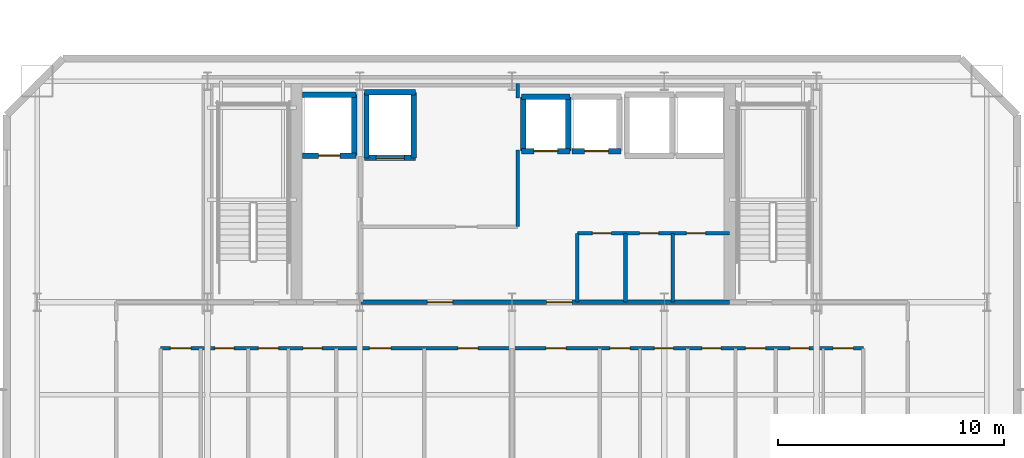
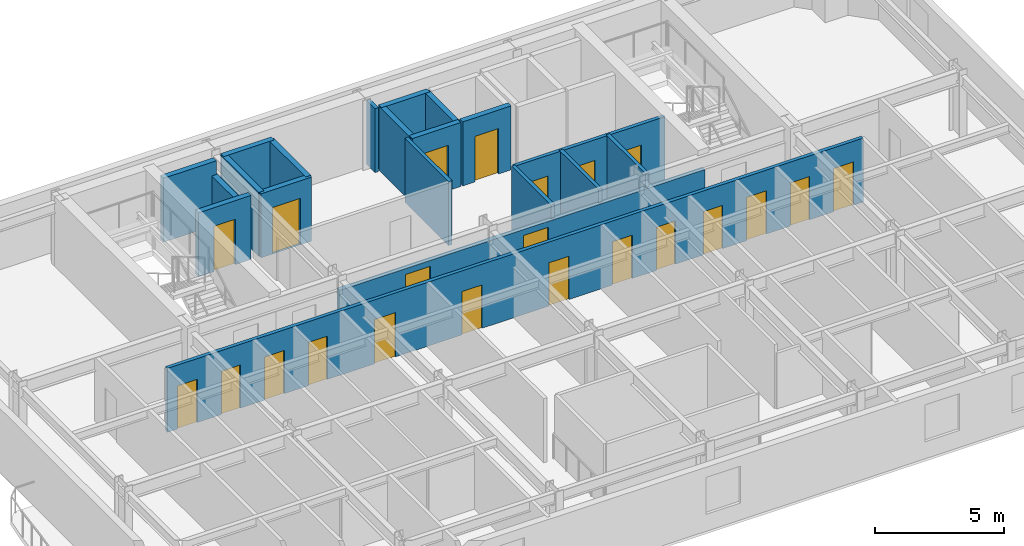
# One storey, part 6 of 14: 22 doors, 20 walls, 22 openings.
"""IFC4 building model written with IfcOpenShell, lengths in metres."""

from ifc_helpers import new_model, si_unit, direction, frame, frame_2d, origin, place, context, subcontext, project, spatial, rectangle, extrude, material, layer, layer_set, type_object, element, fill, save


model = new_model("IFC4")

# Units and contexts
model_context = context("Model", 3, precision=1e-05, world=origin(), true_north=direction((0.0, 1.0)))
body_context = subcontext(model_context, "Body", "Model", "MODEL_VIEW")
ifc_project = project(units=[si_unit("LENGTHUNIT", "METRE"), si_unit("AREAUNIT", "SQUARE_METRE"), si_unit("VOLUMEUNIT", "CUBIC_METRE"), si_unit("PLANEANGLEUNIT", "RADIAN"), si_unit("MASSUNIT", "GRAM", prefix="KILO")], contexts=[model_context])

# Site, building, storey
site_placement = place(None, origin())
site = spatial("IfcSite", under=ifc_project, at=site_placement, CompositionType="ELEMENT")
building_placement = place(site_placement, origin())
building = spatial("IfcBuilding", under=site, at=building_placement, Name="Haevon Station Towers", CompositionType="ELEMENT")
storey_placement = place(building_placement, frame((0.0, 0.0, 119.699951171875)))
storey = spatial("IfcBuildingStorey", under=building, at=storey_placement, Name="L32", CompositionType="ELEMENT", Elevation=119.699951171875)

# Wall, openings, doors
ifc_material_1 = material(Name="Gypsum board on steel stud", Category="steel")
ifc_layer_1 = layer(ifc_material_1, 0.199951171875)
ifc_layer_set_1 = layer_set([ifc_layer_1], Name="Gypsum board on steel stud")
wall_type_1 = type_object("IfcWallType", Name="WL-COR200", PredefinedType="PARTITIONING", material=ifc_layer_set_1)
wall_1_placement = place(storey_placement, frame((30.800048828125, 38.199951171875, 0.0), z_axis=(0.0, 0.0, 1.0), x_axis=(1.0, 0.0, 0.0)))
wall_1 = element("IfcWall", 1, at=wall_1_placement, inside=storey, type_object=wall_type_1, Name="WL-T1CLB-L32", PredefinedType="PARTITIONING", context=body_context, shape_type="SweptSolid", body=[
    extrude(rectangle(XDim=16.349853515625, YDim=0.199951171875, at=frame_2d((8.1748046875, 0.0))), origin(), (0.0, 0.0, 1.0), 2.380126953125),
])
opening_1_placement = place(wall_1_placement, frame((2.949951171875, 0.0, 0.0)))
opening_1 = element("IfcOpeningElement", 2, at=opening_1_placement, cuts=wall_1, Name="Opening DR-T1CLB-L32-1", PredefinedType="OPENING", context=body_context, shape_type="SweptSolid", body=[
    extrude(rectangle(XDim=1.1201171875, YDim=2.10009765625, at=frame_2d((0.56005859375, 1.050048828125))), frame((0.0, 0.10986328125, 0.0), z_axis=(0.0, -1.0, 0.0), x_axis=(1.0, 0.0, 0.0)), (0.0, 0.0, 1.0), 0.219970703125),
])
opening_2_placement = place(wall_1_placement, frame((8.22998046875, 0.0, 0.0)))
opening_2 = element("IfcOpeningElement", 3, at=opening_2_placement, cuts=wall_1, Name="Opening DR-T1CLB-L32-2", PredefinedType="OPENING", context=body_context, shape_type="SweptSolid", body=[
    extrude(rectangle(XDim=1.1201171875, YDim=2.10009765625, at=frame_2d((0.56005859375, 1.050048828125))), frame((0.0, 0.10986328125, 0.0), z_axis=(0.0, -1.0, 0.0), x_axis=(1.0, 0.0, 0.0)), (0.0, 0.0, 1.0), 0.219970703125),
])
ifc_material_2 = material(Name="Engineered oak timber", Category="wood")
door_type_1 = type_object("IfcDoorType", Name="DR-ST-1120", OperationType="NOTDEFINED", PredefinedType="DOOR", material=ifc_material_2)
door_1_placement = place(opening_1_placement, origin())
door_1 = element("IfcDoor", 4, at=door_1_placement, inside=storey, type_object=door_type_1, Name="L32 Tower 1 Core Lift Lobby Door 1", OperationType="SINGLE_SWING_RIGHT", OverallHeight=2.10009765625, OverallWidth=1.1201171875, PredefinedType="DOOR", context=body_context, shape_type="SweptSolid", body=[
    extrude(rectangle(XDim=1.1201171875, YDim=2.10009765625, at=frame_2d((0.56005859375, 1.050048828125))), frame((0.0, 0.02490234375, 0.0), z_axis=(0.0, -1.0, 0.0), x_axis=(1.0, 0.0, 0.0)), (0.0, 0.0, 1.0), 0.050048828125),
])
fill(opening_1, door_1)
door_2_placement = place(opening_2_placement, origin())
door_2 = element("IfcDoor", 5, at=door_2_placement, inside=storey, type_object=door_type_1, Name="L32 Tower 1 Core Lift Lobby Door 2", OperationType="SINGLE_SWING_LEFT", OverallHeight=2.10009765625, OverallWidth=1.1201171875, PredefinedType="DOOR", context=body_context, shape_type="SweptSolid", body=[
    extrude(rectangle(XDim=1.1201171875, YDim=2.10009765625, at=frame_2d((0.56005859375, 1.050048828125))), frame((0.0, 0.02490234375, 0.0), z_axis=(0.0, -1.0, 0.0), x_axis=(1.0, 0.0, 0.0)), (0.0, 0.0, 1.0), 0.050048828125),
])
fill(opening_2, door_2)

# Walls
ifc_layer_2 = layer(ifc_material_1, 0.159912109375)
ifc_layer_set_2 = layer_set([ifc_layer_2], Name="Gypsum board on steel stud")
wall_type_2 = type_object("IfcWallType", Name="WL-PRT160", PredefinedType="PARTITIONING", material=ifc_layer_set_2)
wall_2_placement = place(storey_placement, frame((37.75, 41.550048828125, 0.0), z_axis=(0.0, 0.0, 1.0), x_axis=(0.0, 1.0, 0.0)))
element("IfcWall", 6, at=wall_2_placement, inside=storey, type_object=wall_type_2, Name="WL-T1CW-L32-02", PredefinedType="PARTITIONING", context=body_context, shape_type="SweptSolid", body=[
    extrude(rectangle(XDim=3.39990234375, YDim=0.159912109375, at=frame_2d((1.699951171875, 0.0))), origin(), (0.0, 0.0, 1.0), 3.030029296875),
])
wall_3_placement = place(storey_placement, frame((37.75, 47.25, 0.0), z_axis=(0.0, 0.0, 1.0), x_axis=(0.0, 1.0, 0.0)))
element("IfcWall", 7, at=wall_3_placement, inside=storey, type_object=wall_type_2, Name="WL-T1CW-L32-03", PredefinedType="PARTITIONING", context=body_context, shape_type="SweptSolid", body=[
    extrude(rectangle(XDim=0.64990234375, YDim=0.159912109375, at=frame_2d((0.324951171875, 0.0))), origin(), (0.0, 0.0, 1.0), 3.030029296875),
])
for number, where, z_axis, x_axis, name in (
    (8, (40.39990234375, 38.199951171875, 0.0), (0.0, 0.0, 1.0), (0.0, 1.0, 0.0), "WL-T1CW-L32-04"),
    (9, (42.530029296875, 38.199951171875, 0.0), (0.0, 0.0, 1.0), (0.0, 1.0, 0.0), "WL-T1CW-L32-05"),
    (10, (44.6298828125, 38.199951171875, 0.0), (0.0, 0.0, 1.0), (0.0, 1.0, 0.0), "WL-T1CW-L32-06"),
):
    element("IfcWall", number, at=place(storey_placement, frame(where, z_axis=z_axis, x_axis=x_axis)), inside=storey, type_object=wall_type_2, Name=name, PredefinedType="PARTITIONING", context=body_context, shape_type="SweptSolid", body=[
        extrude(rectangle(XDim=3.050048828125, YDim=0.159912109375, at=frame_2d((1.52490234375, 0.0))), origin(), (0.0, 0.0, 1.0), 3.030029296875),
    ])

# Wall, openings, doors
wall_4_placement = place(storey_placement, frame((40.39990234375, 41.25, 0.0), z_axis=(0.0, 0.0, 1.0), x_axis=(1.0, 0.0, 0.0)))
wall_4 = element("IfcWall", 11, at=wall_4_placement, inside=storey, type_object=wall_type_2, Name="WL-T1CW-L32-07", PredefinedType="PARTITIONING", context=body_context, shape_type="SweptSolid", body=[
    extrude(rectangle(XDim=6.75, YDim=0.159912109375, at=frame_2d((3.375, 0.0))), origin(), (0.0, 0.0, 1.0), 3.030029296875),
])
opening_3_placement = place(wall_4_placement, frame((0.659912109375, 0.0, 0.0)))
opening_3 = element("IfcOpeningElement", 12, at=opening_3_placement, cuts=wall_4, Name="Opening DR-WL-T1CW-L32-07-1", PredefinedType="OPENING", context=body_context, shape_type="SweptSolid", body=[
    extrude(rectangle(XDim=0.85009765625, YDim=2.050048828125, at=frame_2d((0.425048828125, 1.02490234375))), frame((0.0, 0.08984375, 0.0), z_axis=(0.0, -1.0, 0.0), x_axis=(1.0, 0.0, 0.0)), (0.0, 0.0, 1.0), 0.179931640625),
])
opening_4_placement = place(wall_4_placement, frame((2.7548828125, 0.0, 0.0)))
opening_4 = element("IfcOpeningElement", 13, at=opening_4_placement, cuts=wall_4, Name="Opening DR-WL-T1CW-L32-07-2", PredefinedType="OPENING", context=body_context, shape_type="SweptSolid", body=[
    extrude(rectangle(XDim=0.85009765625, YDim=2.050048828125, at=frame_2d((0.425048828125, 1.02490234375))), frame((0.0, 0.08984375, 0.0), z_axis=(0.0, -1.0, 0.0), x_axis=(1.0, 0.0, 0.0)), (0.0, 0.0, 1.0), 0.179931640625),
])
opening_5_placement = place(wall_4_placement, frame((4.830078125, 0.0, 0.0)))
opening_5 = element("IfcOpeningElement", 14, at=opening_5_placement, cuts=wall_4, Name="Opening DR-WL-T1CW-L32-07-3", PredefinedType="OPENING", context=body_context, shape_type="SweptSolid", body=[
    extrude(rectangle(XDim=0.85009765625, YDim=2.050048828125, at=frame_2d((0.425048828125, 1.02490234375))), frame((0.0, 0.08984375, 0.0), z_axis=(0.0, -1.0, 0.0), x_axis=(1.0, 0.0, 0.0)), (0.0, 0.0, 1.0), 0.179931640625),
])
door_type_2 = type_object("IfcDoorType", Name="DR-FD30-850", OperationType="NOTDEFINED", PredefinedType="DOOR", material=ifc_material_2)
door_3_placement = place(opening_3_placement, origin())
door_3 = element("IfcDoor", 15, at=door_3_placement, inside=storey, type_object=door_type_2, Name="L32 Tower 1 Core Room Door 7-1", OperationType="SINGLE_SWING_LEFT", OverallHeight=2.050048828125, OverallWidth=0.85009765625, PredefinedType="DOOR", context=body_context, shape_type="SweptSolid", body=[
    extrude(rectangle(XDim=0.85009765625, YDim=2.050048828125, at=frame_2d((0.425048828125, 1.02490234375))), frame((0.0, 0.02490234375, 0.0), z_axis=(0.0, -1.0, 0.0), x_axis=(1.0, 0.0, 0.0)), (0.0, 0.0, 1.0), 0.050048828125),
])
fill(opening_3, door_3)
door_4_placement = place(opening_4_placement, origin())
door_4 = element("IfcDoor", 16, at=door_4_placement, inside=storey, type_object=door_type_2, Name="L32 Tower 1 Core Room Door 7-2", OperationType="SINGLE_SWING_RIGHT", OverallHeight=2.050048828125, OverallWidth=0.85009765625, PredefinedType="DOOR", context=body_context, shape_type="SweptSolid", body=[
    extrude(rectangle(XDim=0.85009765625, YDim=2.050048828125, at=frame_2d((0.425048828125, 1.02490234375))), frame((0.0, 0.02490234375, 0.0), z_axis=(0.0, -1.0, 0.0), x_axis=(1.0, 0.0, 0.0)), (0.0, 0.0, 1.0), 0.050048828125),
])
fill(opening_4, door_4)
door_5_placement = place(opening_5_placement, origin())
door_5 = element("IfcDoor", 17, at=door_5_placement, inside=storey, type_object=door_type_2, Name="L32 Tower 1 Core Room Door 7-3", OperationType="SINGLE_SWING_LEFT", OverallHeight=2.050048828125, OverallWidth=0.85009765625, PredefinedType="DOOR", context=body_context, shape_type="SweptSolid", body=[
    extrude(rectangle(XDim=0.85009765625, YDim=2.050048828125, at=frame_2d((0.425048828125, 1.02490234375))), frame((0.0, 0.02490234375, 0.0), z_axis=(0.0, -1.0, 0.0), x_axis=(1.0, 0.0, 0.0)), (0.0, 0.0, 1.0), 0.050048828125),
])
fill(opening_5, door_5)

wall_5_placement = place(storey_placement, frame((21.919921875, 36.14990234375, 0.0), z_axis=(0.0, 0.0, 1.0), x_axis=(1.0, 0.0, 0.0)))
wall_5 = element("IfcWall", 18, at=wall_5_placement, inside=storey, type_object=wall_type_2, Name="WL-T1PT-L32-30", PredefinedType="PARTITIONING", context=body_context, shape_type="SweptSolid", body=[
    extrude(rectangle(XDim=31.16015625, YDim=0.159912109375, at=frame_2d((15.580078125, 0.0))), origin(), (0.0, 0.0, 1.0), 3.030029296875),
])
opening_6_placement = place(wall_5_placement, frame((2.412109375, 0.0, 0.0)))
opening_6 = element("IfcOpeningElement", 19, at=opening_6_placement, cuts=wall_5, Name="Opening DR-WL-T1PT-L32-30-01", PredefinedType="OPENING", context=body_context, shape_type="SweptSolid", body=[
    extrude(rectangle(XDim=0.85009765625, YDim=2.050048828125, at=frame_2d((0.425048828125, 1.02490234375))), frame((0.0, 0.08984375, 0.0), z_axis=(0.0, -1.0, 0.0), x_axis=(1.0, 0.0, 0.0)), (0.0, 0.0, 1.0), 0.179931640625),
])
opening_7_placement = place(wall_5_placement, frame((0.43994140625, 0.0, 0.0)))
opening_7 = element("IfcOpeningElement", 20, at=opening_7_placement, cuts=wall_5, Name="Opening DR-WL-T1PT-L32-30-02", PredefinedType="OPENING", context=body_context, shape_type="SweptSolid", body=[
    extrude(rectangle(XDim=0.89990234375, YDim=2.050048828125, at=frame_2d((0.449951171875, 1.02490234375))), frame((0.0, 0.08984375, 0.0), z_axis=(0.0, -1.0, 0.0), x_axis=(1.0, 0.0, 0.0)), (0.0, 0.0, 1.0), 0.179931640625),
])
opening_8_placement = place(wall_5_placement, frame((6.306884765625, 0.0, 0.0)))
opening_8 = element("IfcOpeningElement", 21, at=opening_8_placement, cuts=wall_5, Name="Opening DR-WL-T1PT-L32-30-03", PredefinedType="OPENING", context=body_context, shape_type="SweptSolid", body=[
    extrude(rectangle(XDim=0.85009765625, YDim=2.050048828125, at=frame_2d((0.425048828125, 1.02490234375))), frame((0.0, 0.08984375, 0.0), z_axis=(0.0, -1.0, 0.0), x_axis=(1.0, 0.0, 0.0)), (0.0, 0.0, 1.0), 0.179931640625),
])
opening_9_placement = place(wall_5_placement, frame((4.3349609375, 0.0, 0.0)))
opening_9 = element("IfcOpeningElement", 22, at=opening_9_placement, cuts=wall_5, Name="Opening DR-WL-T1PT-L32-30-04", PredefinedType="OPENING", context=body_context, shape_type="SweptSolid", body=[
    extrude(rectangle(XDim=0.89990234375, YDim=2.050048828125, at=frame_2d((0.449951171875, 1.02490234375))), frame((0.0, 0.08984375, 0.0), z_axis=(0.0, -1.0, 0.0), x_axis=(1.0, 0.0, 0.0)), (0.0, 0.0, 1.0), 0.179931640625),
])
opening_10_placement = place(wall_5_placement, frame((9.261962890625, 0.0, 0.0)))
opening_10 = element("IfcOpeningElement", 23, at=opening_10_placement, cuts=wall_5, Name="Opening DR-WL-T1PT-L32-30-05", PredefinedType="OPENING", context=body_context, shape_type="SweptSolid", body=[
    extrude(rectangle(XDim=0.949951171875, YDim=2.10009765625, at=frame_2d((0.47509765625, 1.050048828125))), frame((0.0, 0.08984375, 0.0), z_axis=(0.0, -1.0, 0.0), x_axis=(1.0, 0.0, 0.0)), (0.0, 0.0, 1.0), 0.179931640625),
])
opening_11_placement = place(wall_5_placement, frame((13.181884765625, 0.0, 0.0)))
opening_11 = element("IfcOpeningElement", 24, at=opening_11_placement, cuts=wall_5, Name="Opening DR-WL-T1PT-L32-30-06", PredefinedType="OPENING", context=body_context, shape_type="SweptSolid", body=[
    extrude(rectangle(XDim=0.89990234375, YDim=2.050048828125, at=frame_2d((0.449951171875, 1.02490234375))), frame((0.0, 0.08984375, 0.0), z_axis=(0.0, -1.0, 0.0), x_axis=(1.0, 0.0, 0.0)), (0.0, 0.0, 1.0), 0.179931640625),
])
opening_12_placement = place(wall_5_placement, frame((17.077880859375, 0.0, 0.0)))
opening_12 = element("IfcOpeningElement", 25, at=opening_12_placement, cuts=wall_5, Name="Opening DR-WL-T1PT-L32-30-07", PredefinedType="OPENING", context=body_context, shape_type="SweptSolid", body=[
    extrude(rectangle(XDim=0.89990234375, YDim=2.050048828125, at=frame_2d((0.449951171875, 1.02490234375))), frame((0.0, 0.08984375, 0.0), z_axis=(0.0, -1.0, 0.0), x_axis=(1.0, 0.0, 0.0)), (0.0, 0.0, 1.0), 0.179931640625),
])
opening_13_placement = place(wall_5_placement, frame((21.886962890625, 0.0, 0.0)))
opening_13 = element("IfcOpeningElement", 26, at=opening_13_placement, cuts=wall_5, Name="Opening DR-WL-T1PT-L32-30-08", PredefinedType="OPENING", context=body_context, shape_type="SweptSolid", body=[
    extrude(rectangle(XDim=0.85009765625, YDim=2.050048828125, at=frame_2d((0.425048828125, 1.02490234375))), frame((0.0, 0.08984375, 0.0), z_axis=(0.0, -1.0, 0.0), x_axis=(1.0, 0.0, 0.0)), (0.0, 0.0, 1.0), 0.179931640625),
])
opening_14_placement = place(wall_5_placement, frame((19.9150390625, 0.0, 0.0)))
opening_14 = element("IfcOpeningElement", 27, at=opening_14_placement, cuts=wall_5, Name="Opening DR-WL-T1PT-L32-30-09", PredefinedType="OPENING", context=body_context, shape_type="SweptSolid", body=[
    extrude(rectangle(XDim=0.89990234375, YDim=2.050048828125, at=frame_2d((0.449951171875, 1.02490234375))), frame((0.0, 0.08984375, 0.0), z_axis=(0.0, -1.0, 0.0), x_axis=(1.0, 0.0, 0.0)), (0.0, 0.0, 1.0), 0.179931640625),
])
opening_15_placement = place(wall_5_placement, frame((24.001953125, 0.0, 0.0)))
opening_15 = element("IfcOpeningElement", 28, at=opening_15_placement, cuts=wall_5, Name="Opening DR-WL-T1PT-L32-30-10", PredefinedType="OPENING", context=body_context, shape_type="SweptSolid", body=[
    extrude(rectangle(XDim=0.85009765625, YDim=2.050048828125, at=frame_2d((0.425048828125, 1.02490234375))), frame((0.0, 0.08984375, 0.0), z_axis=(0.0, -1.0, 0.0), x_axis=(1.0, 0.0, 0.0)), (0.0, 0.0, 1.0), 0.179931640625),
])
opening_16_placement = place(wall_5_placement, frame((25.925048828125, 0.0, 0.0)))
opening_16 = element("IfcOpeningElement", 29, at=opening_16_placement, cuts=wall_5, Name="Opening DR-WL-T1PT-L32-30-11", PredefinedType="OPENING", context=body_context, shape_type="SweptSolid", body=[
    extrude(rectangle(XDim=0.89990234375, YDim=2.050048828125, at=frame_2d((0.449951171875, 1.02490234375))), frame((0.0, 0.08984375, 0.0), z_axis=(0.0, -1.0, 0.0), x_axis=(1.0, 0.0, 0.0)), (0.0, 0.0, 1.0), 0.179931640625),
])
opening_17_placement = place(wall_5_placement, frame((27.89697265625, 0.0, 0.0)))
opening_17 = element("IfcOpeningElement", 30, at=opening_17_placement, cuts=wall_5, Name="Opening DR-WL-T1PT-L32-30-12", PredefinedType="OPENING", context=body_context, shape_type="SweptSolid", body=[
    extrude(rectangle(XDim=0.85009765625, YDim=2.050048828125, at=frame_2d((0.425048828125, 1.02490234375))), frame((0.0, 0.08984375, 0.0), z_axis=(0.0, -1.0, 0.0), x_axis=(1.0, 0.0, 0.0)), (0.0, 0.0, 1.0), 0.179931640625),
])
opening_18_placement = place(wall_5_placement, frame((29.820068359375, 0.0, 0.0)))
opening_18 = element("IfcOpeningElement", 31, at=opening_18_placement, cuts=wall_5, Name="Opening DR-WL-T1PT-L32-30-13", PredefinedType="OPENING", context=body_context, shape_type="SweptSolid", body=[
    extrude(rectangle(XDim=0.89990234375, YDim=2.050048828125, at=frame_2d((0.449951171875, 1.02490234375))), frame((0.0, 0.08984375, 0.0), z_axis=(0.0, -1.0, 0.0), x_axis=(1.0, 0.0, 0.0)), (0.0, 0.0, 1.0), 0.179931640625),
])
door_6_placement = place(opening_6_placement, origin())
door_6 = element("IfcDoor", 32, at=door_6_placement, inside=storey, type_object=door_type_2, Name="L32 Tower 1 Room Door 30-1", OperationType="SINGLE_SWING_RIGHT", OverallHeight=2.050048828125, OverallWidth=0.85009765625, PredefinedType="DOOR", context=body_context, shape_type="SweptSolid", body=[
    extrude(rectangle(XDim=0.85009765625, YDim=2.050048828125, at=frame_2d((0.425048828125, 1.02490234375))), frame((0.0, 0.02490234375, 0.0), z_axis=(0.0, -1.0, 0.0), x_axis=(1.0, 0.0, 0.0)), (0.0, 0.0, 1.0), 0.050048828125),
])
fill(opening_6, door_6)
door_7_placement = place(opening_8_placement, origin())
door_7 = element("IfcDoor", 33, at=door_7_placement, inside=storey, type_object=door_type_2, Name="L32 Tower 1 Room Door 30-3", OperationType="SINGLE_SWING_RIGHT", OverallHeight=2.050048828125, OverallWidth=0.85009765625, PredefinedType="DOOR", context=body_context, shape_type="SweptSolid", body=[
    extrude(rectangle(XDim=0.85009765625, YDim=2.050048828125, at=frame_2d((0.425048828125, 1.02490234375))), frame((0.0, 0.02490234375, 0.0), z_axis=(0.0, -1.0, 0.0), x_axis=(1.0, 0.0, 0.0)), (0.0, 0.0, 1.0), 0.050048828125),
])
fill(opening_8, door_7)
door_8_placement = place(opening_13_placement, origin())
door_8 = element("IfcDoor", 34, at=door_8_placement, inside=storey, type_object=door_type_2, Name="L32 Tower 1 Room Door 30-8", OperationType="SINGLE_SWING_LEFT", OverallHeight=2.050048828125, OverallWidth=0.85009765625, PredefinedType="DOOR", context=body_context, shape_type="SweptSolid", body=[
    extrude(rectangle(XDim=0.85009765625, YDim=2.050048828125, at=frame_2d((0.425048828125, 1.02490234375))), frame((0.0, 0.02490234375, 0.0), z_axis=(0.0, -1.0, 0.0), x_axis=(1.0, 0.0, 0.0)), (0.0, 0.0, 1.0), 0.050048828125),
])
fill(opening_13, door_8)
door_9_placement = place(opening_15_placement, origin())
door_9 = element("IfcDoor", 35, at=door_9_placement, inside=storey, type_object=door_type_2, Name="L32 Tower 1 Room Door 30-10", OperationType="SINGLE_SWING_LEFT", OverallHeight=2.050048828125, OverallWidth=0.85009765625, PredefinedType="DOOR", context=body_context, shape_type="SweptSolid", body=[
    extrude(rectangle(XDim=0.85009765625, YDim=2.050048828125, at=frame_2d((0.425048828125, 1.02490234375))), frame((0.0, 0.02490234375, 0.0), z_axis=(0.0, -1.0, 0.0), x_axis=(1.0, 0.0, 0.0)), (0.0, 0.0, 1.0), 0.050048828125),
])
fill(opening_15, door_9)
door_10_placement = place(opening_17_placement, origin())
door_10 = element("IfcDoor", 36, at=door_10_placement, inside=storey, type_object=door_type_2, Name="L32 Tower 1 Room Door 30-12", OperationType="SINGLE_SWING_LEFT", OverallHeight=2.050048828125, OverallWidth=0.85009765625, PredefinedType="DOOR", context=body_context, shape_type="SweptSolid", body=[
    extrude(rectangle(XDim=0.85009765625, YDim=2.050048828125, at=frame_2d((0.425048828125, 1.02490234375))), frame((0.0, 0.02490234375, 0.0), z_axis=(0.0, -1.0, 0.0), x_axis=(1.0, 0.0, 0.0)), (0.0, 0.0, 1.0), 0.050048828125),
])
fill(opening_17, door_10)
door_type_3 = type_object("IfcDoorType", Name="DR-FD30-950", OperationType="NOTDEFINED", PredefinedType="DOOR", material=ifc_material_2)
door_11_placement = place(opening_10_placement, origin())
door_11 = element("IfcDoor", 37, at=door_11_placement, inside=storey, type_object=door_type_3, Name="L32 Tower 1 Room Door 30-5", OperationType="SINGLE_SWING_RIGHT", OverallHeight=2.10009765625, OverallWidth=0.949951171875, PredefinedType="DOOR", context=body_context, shape_type="SweptSolid", body=[
    extrude(rectangle(XDim=0.949951171875, YDim=2.10009765625, at=frame_2d((0.47509765625, 1.050048828125))), frame((0.0, 0.02490234375, 0.0), z_axis=(0.0, -1.0, 0.0), x_axis=(1.0, 0.0, 0.0)), (0.0, 0.0, 1.0), 0.050048828125),
])
fill(opening_10, door_11)
door_type_4 = type_object("IfcDoorType", Name="DR-INT-900", OperationType="NOTDEFINED", PredefinedType="DOOR", material=ifc_material_2)
door_12_placement = place(opening_7_placement, origin())
door_12 = element("IfcDoor", 38, at=door_12_placement, inside=storey, type_object=door_type_4, Name="L32 Tower 1 Room Door 30-2", OperationType="SINGLE_SWING_LEFT", OverallHeight=2.050048828125, OverallWidth=0.89990234375, PredefinedType="DOOR", context=body_context, shape_type="SweptSolid", body=[
    extrude(rectangle(XDim=0.89990234375, YDim=2.050048828125, at=frame_2d((0.449951171875, 1.02490234375))), frame((0.0, 0.02490234375, 0.0), z_axis=(0.0, -1.0, 0.0), x_axis=(1.0, 0.0, 0.0)), (0.0, 0.0, 1.0), 0.050048828125),
])
fill(opening_7, door_12)
door_13_placement = place(opening_9_placement, origin())
door_13 = element("IfcDoor", 39, at=door_13_placement, inside=storey, type_object=door_type_4, Name="L32 Tower 1 Room Door 30-4", OperationType="SINGLE_SWING_LEFT", OverallHeight=2.050048828125, OverallWidth=0.89990234375, PredefinedType="DOOR", context=body_context, shape_type="SweptSolid", body=[
    extrude(rectangle(XDim=0.89990234375, YDim=2.050048828125, at=frame_2d((0.449951171875, 1.02490234375))), frame((0.0, 0.02490234375, 0.0), z_axis=(0.0, -1.0, 0.0), x_axis=(1.0, 0.0, 0.0)), (0.0, 0.0, 1.0), 0.050048828125),
])
fill(opening_9, door_13)
door_14_placement = place(opening_11_placement, origin())
door_14 = element("IfcDoor", 40, at=door_14_placement, inside=storey, type_object=door_type_4, Name="L32 Tower 1 Room Door 30-6", OperationType="SINGLE_SWING_LEFT", OverallHeight=2.050048828125, OverallWidth=0.89990234375, PredefinedType="DOOR", context=body_context, shape_type="SweptSolid", body=[
    extrude(rectangle(XDim=0.89990234375, YDim=2.050048828125, at=frame_2d((0.449951171875, 1.02490234375))), frame((0.0, 0.02490234375, 0.0), z_axis=(0.0, -1.0, 0.0), x_axis=(1.0, 0.0, 0.0)), (0.0, 0.0, 1.0), 0.050048828125),
])
fill(opening_11, door_14)
door_15_placement = place(opening_12_placement, origin())
door_15 = element("IfcDoor", 41, at=door_15_placement, inside=storey, type_object=door_type_4, Name="L32 Tower 1 Room Door 30-7", OperationType="SINGLE_SWING_RIGHT", OverallHeight=2.050048828125, OverallWidth=0.89990234375, PredefinedType="DOOR", context=body_context, shape_type="SweptSolid", body=[
    extrude(rectangle(XDim=0.89990234375, YDim=2.050048828125, at=frame_2d((0.449951171875, 1.02490234375))), frame((0.0, 0.02490234375, 0.0), z_axis=(0.0, -1.0, 0.0), x_axis=(1.0, 0.0, 0.0)), (0.0, 0.0, 1.0), 0.050048828125),
])
fill(opening_12, door_15)
door_16_placement = place(opening_14_placement, origin())
door_16 = element("IfcDoor", 42, at=door_16_placement, inside=storey, type_object=door_type_4, Name="L32 Tower 1 Room Door 30-9", OperationType="SINGLE_SWING_RIGHT", OverallHeight=2.050048828125, OverallWidth=0.89990234375, PredefinedType="DOOR", context=body_context, shape_type="SweptSolid", body=[
    extrude(rectangle(XDim=0.89990234375, YDim=2.050048828125, at=frame_2d((0.449951171875, 1.02490234375))), frame((0.0, 0.02490234375, 0.0), z_axis=(0.0, -1.0, 0.0), x_axis=(1.0, 0.0, 0.0)), (0.0, 0.0, 1.0), 0.050048828125),
])
fill(opening_14, door_16)
door_17_placement = place(opening_16_placement, origin())
door_17 = element("IfcDoor", 43, at=door_17_placement, inside=storey, type_object=door_type_4, Name="L32 Tower 1 Room Door 30-11", OperationType="SINGLE_SWING_RIGHT", OverallHeight=2.050048828125, OverallWidth=0.89990234375, PredefinedType="DOOR", context=body_context, shape_type="SweptSolid", body=[
    extrude(rectangle(XDim=0.89990234375, YDim=2.050048828125, at=frame_2d((0.449951171875, 1.02490234375))), frame((0.0, 0.02490234375, 0.0), z_axis=(0.0, -1.0, 0.0), x_axis=(1.0, 0.0, 0.0)), (0.0, 0.0, 1.0), 0.050048828125),
])
fill(opening_16, door_17)
door_18_placement = place(opening_18_placement, origin())
door_18 = element("IfcDoor", 44, at=door_18_placement, inside=storey, type_object=door_type_4, Name="L32 Tower 1 Room Door 30-13", OperationType="SINGLE_SWING_RIGHT", OverallHeight=2.050048828125, OverallWidth=0.89990234375, PredefinedType="DOOR", context=body_context, shape_type="SweptSolid", body=[
    extrude(rectangle(XDim=0.89990234375, YDim=2.050048828125, at=frame_2d((0.449951171875, 1.02490234375))), frame((0.0, 0.02490234375, 0.0), z_axis=(0.0, -1.0, 0.0), x_axis=(1.0, 0.0, 0.0)), (0.0, 0.0, 1.0), 0.050048828125),
])
fill(opening_18, door_18)

# Wall, opening, door
ifc_material_3 = material(Name="Concrete C40/50", Category="concrete")
ifc_layer_3 = layer(ifc_material_3, 0.239990234375)
ifc_layer_set_3 = layer_set([ifc_layer_3], Name="Concrete C40/50")
wall_type_3 = type_object("IfcWallType", Name="WL-SHF240", PredefinedType="PARTITIONING", material=ifc_layer_set_3)
wall_6_placement = place(storey_placement, frame((28.219970703125, 44.699951171875, 0.0), z_axis=(0.0, 0.0, 1.0), x_axis=(1.0, 0.0, 0.0)))
wall_6 = element("IfcWall", 45, at=wall_6_placement, inside=storey, type_object=wall_type_3, Name="WL-SHF-FL1-L32", PredefinedType="PARTITIONING", context=body_context, shape_type="SweptSolid", body=[
    extrude(rectangle(XDim=2.360107421875, YDim=0.239990234375, at=frame_2d((1.18017578125, 0.0))), origin(), (0.0, 0.0, 1.0), 3.030029296875),
])
opening_19_placement = place(wall_6_placement, frame((0.705078125, 0.0, 0.0)))
opening_19 = element("IfcOpeningElement", 46, at=opening_19_placement, cuts=wall_6, Name="Opening LD-FL1-L32", PredefinedType="OPENING", context=body_context, shape_type="SweptSolid", body=[
    extrude(rectangle(XDim=0.949951171875, YDim=2.14990234375, at=frame_2d((0.47509765625, 1.074951171875))), frame((0.0, 0.1298828125, 0.0), z_axis=(0.0, -1.0, 0.0), x_axis=(1.0, 0.0, 0.0)), (0.0, 0.0, 1.0), 0.260009765625),
])
ifc_material_4 = material(Name="Stainless steel and rated core", Category="steel")
door_type_5 = type_object("IfcDoorType", Name="LD-FL950", OperationType="SLIDING_TO_LEFT", PredefinedType="DOOR", material=ifc_material_4)
door_19_placement = place(opening_19_placement, origin())
door_19 = element("IfcDoor", 47, at=door_19_placement, inside=storey, type_object=door_type_5, Name="L32 Lift FL1 Sliding Landing Door", OperationType="SLIDING_TO_LEFT", OverallHeight=2.14990234375, OverallWidth=0.949951171875, PredefinedType="DOOR", context=body_context, shape_type="SweptSolid", body=[
    extrude(rectangle(XDim=0.949951171875, YDim=2.14990234375, at=frame_2d((0.47509765625, 1.074951171875))), frame((0.0, 0.02490234375, 0.0), z_axis=(0.0, -1.0, 0.0), x_axis=(1.0, 0.0, 0.0)), (0.0, 0.0, 1.0), 0.050048828125),
])
fill(opening_19, door_19)

# Walls
wall_7_placement = place(storey_placement, frame((28.219970703125, 47.39990234375, 0.0), z_axis=(0.0, 0.0, 1.0), x_axis=(1.0, 0.0, 0.0)))
element("IfcWall", 48, at=wall_7_placement, inside=storey, type_object=wall_type_3, Name="WL-SHF-FL1-L32-N", PredefinedType="PARTITIONING", context=body_context, shape_type="SweptSolid", body=[
    extrude(rectangle(XDim=2.360107421875, YDim=0.239990234375, at=frame_2d((1.18017578125, 0.0))), origin(), (0.0, 0.0, 1.0), 3.030029296875),
])
wall_8_placement = place(storey_placement, frame((30.5, 44.699951171875, 0.0), z_axis=(0.0, 0.0, 1.0), x_axis=(0.0, 1.0, 0.0)))
element("IfcWall", 49, at=wall_8_placement, inside=storey, type_object=wall_type_3, Name="WL-SHF-FL1-L32-E", PredefinedType="PARTITIONING", context=body_context, shape_type="SweptSolid", body=[
    extrude(rectangle(XDim=2.699951171875, YDim=0.239990234375, at=frame_2d((1.35009765625, 0.0))), origin(), (0.0, 0.0, 1.0), 2.380126953125),
])

# Wall, opening, door
wall_9_placement = place(storey_placement, frame((30.969970703125, 44.60009765625, 0.0), z_axis=(0.0, 0.0, 1.0), x_axis=(1.0, 0.0, 0.0)))
wall_9 = element("IfcWall", 50, at=wall_9_placement, inside=storey, type_object=wall_type_3, Name="WL-SHF-SL1-L32", PredefinedType="PARTITIONING", context=body_context, shape_type="SweptSolid", body=[
    extrude(rectangle(XDim=2.260009765625, YDim=0.239990234375, at=frame_2d((1.1298828125, 0.0))), origin(), (0.0, 0.0, 1.0), 3.030029296875),
])
opening_20_placement = place(wall_9_placement, frame((0.5048828125, 0.0, 0.0)))
opening_20 = element("IfcOpeningElement", 51, at=opening_20_placement, cuts=wall_9, Name="Opening LD-SL1-L32", PredefinedType="OPENING", context=body_context, shape_type="SweptSolid", body=[
    extrude(rectangle(XDim=1.25, YDim=2.199951171875, at=frame_2d((0.625, 1.10009765625))), frame((0.0, 0.1298828125, 0.0), z_axis=(0.0, -1.0, 0.0), x_axis=(1.0, 0.0, 0.0)), (0.0, 0.0, 1.0), 0.260009765625),
])
door_type_6 = type_object("IfcDoorType", Name="LD-SL1250", OperationType="SLIDING_TO_LEFT", PredefinedType="DOOR", material=ifc_material_4)
door_20_placement = place(opening_20_placement, origin())
door_20 = element("IfcDoor", 52, at=door_20_placement, inside=storey, type_object=door_type_6, Name="L32 Lift SL1 Sliding Landing Door", OperationType="SLIDING_TO_LEFT", OverallHeight=2.199951171875, OverallWidth=1.25, PredefinedType="DOOR", context=body_context, shape_type="SweptSolid", body=[
    extrude(rectangle(XDim=1.25, YDim=2.199951171875, at=frame_2d((0.625, 1.10009765625))), frame((0.0, 0.02490234375, 0.0), z_axis=(0.0, -1.0, 0.0), x_axis=(1.0, 0.0, 0.0)), (0.0, 0.0, 1.0), 0.050048828125),
])
fill(opening_20, door_20)

# Walls
wall_10_placement = place(storey_placement, frame((30.969970703125, 47.5, 0.0), z_axis=(0.0, 0.0, 1.0), x_axis=(1.0, 0.0, 0.0)))
element("IfcWall", 53, at=wall_10_placement, inside=storey, type_object=wall_type_3, Name="WL-SHF-SL1-L32-N", PredefinedType="PARTITIONING", context=body_context, shape_type="SweptSolid", body=[
    extrude(rectangle(XDim=2.260009765625, YDim=0.239990234375, at=frame_2d((1.1298828125, 0.0))), origin(), (0.0, 0.0, 1.0), 3.030029296875),
])
for number, where, z_axis, x_axis, name in (
    (54, (31.050048828125, 44.60009765625, 0.0), (0.0, 0.0, 1.0), (0.0, 1.0, 0.0), "WL-SHF-SL1-L32-W"),
    (55, (33.14990234375, 44.60009765625, 0.0), (0.0, 0.0, 1.0), (0.0, 1.0, 0.0), "WL-SHF-SL1-L32-E"),
):
    element("IfcWall", number, at=place(storey_placement, frame(where, z_axis=z_axis, x_axis=x_axis)), inside=storey, type_object=wall_type_3, Name=name, PredefinedType="PARTITIONING", context=body_context, shape_type="SweptSolid", body=[
        extrude(rectangle(XDim=2.89990234375, YDim=0.239990234375, at=frame_2d((1.449951171875, 0.0))), origin(), (0.0, 0.0, 1.0), 3.030029296875),
    ])

# Wall, opening, door
wall_11_placement = place(storey_placement, frame((37.919921875, 44.89990234375, 0.0), z_axis=(0.0, 0.0, 1.0), x_axis=(1.0, 0.0, 0.0)))
wall_11 = element("IfcWall", 56, at=wall_11_placement, inside=storey, type_object=wall_type_3, Name="WL-SHF-PL3-L32", PredefinedType="PARTITIONING", context=body_context, shape_type="SweptSolid", body=[
    extrude(rectangle(XDim=2.16015625, YDim=0.239990234375, at=frame_2d((1.080078125, 0.0))), origin(), (0.0, 0.0, 1.0), 3.030029296875),
])
opening_21_placement = place(wall_11_placement, frame((0.554931640625, 0.0, 0.0)))
opening_21 = element("IfcOpeningElement", 57, at=opening_21_placement, cuts=wall_11, Name="Opening LD-PL3-L32", PredefinedType="OPENING", context=body_context, shape_type="SweptSolid", body=[
    extrude(rectangle(XDim=1.050048828125, YDim=2.14990234375, at=frame_2d((0.52490234375, 1.074951171875))), frame((0.0, 0.1298828125, 0.0), z_axis=(0.0, -1.0, 0.0), x_axis=(1.0, 0.0, 0.0)), (0.0, 0.0, 1.0), 0.260009765625),
])
door_type_7 = type_object("IfcDoorType", Name="LD-PL1050", OperationType="SLIDING_TO_LEFT", PredefinedType="DOOR", material=ifc_material_4)
door_21_placement = place(opening_21_placement, origin())
door_21 = element("IfcDoor", 58, at=door_21_placement, inside=storey, type_object=door_type_7, Name="L32 Lift PL3 Sliding Landing Door", OperationType="SLIDING_TO_LEFT", OverallHeight=2.14990234375, OverallWidth=1.050048828125, PredefinedType="DOOR", context=body_context, shape_type="SweptSolid", body=[
    extrude(rectangle(XDim=1.050048828125, YDim=2.14990234375, at=frame_2d((0.52490234375, 1.074951171875))), frame((0.0, 0.02490234375, 0.0), z_axis=(0.0, -1.0, 0.0), x_axis=(1.0, 0.0, 0.0)), (0.0, 0.0, 1.0), 0.050048828125),
])
fill(opening_21, door_21)

# Walls
wall_12_placement = place(storey_placement, frame((37.919921875, 47.300048828125, 0.0), z_axis=(0.0, 0.0, 1.0), x_axis=(1.0, 0.0, 0.0)))
element("IfcWall", 59, at=wall_12_placement, inside=storey, type_object=wall_type_3, Name="WL-SHF-PL3-L32-N", PredefinedType="PARTITIONING", context=body_context, shape_type="SweptSolid", body=[
    extrude(rectangle(XDim=2.16015625, YDim=0.239990234375, at=frame_2d((1.080078125, 0.0))), origin(), (0.0, 0.0, 1.0), 3.030029296875),
])
for number, where, z_axis, x_axis, name in (
    (60, (38.0, 44.89990234375, 0.0), (0.0, 0.0, 1.0), (0.0, 1.0, 0.0), "WL-SHF-PL3-L32-W"),
    (61, (40.0, 44.89990234375, 0.0), (0.0, 0.0, 1.0), (0.0, 1.0, 0.0), "WL-SHF-PL3-L32-E"),
):
    element("IfcWall", number, at=place(storey_placement, frame(where, z_axis=z_axis, x_axis=x_axis)), inside=storey, type_object=wall_type_3, Name=name, PredefinedType="PARTITIONING", context=body_context, shape_type="SweptSolid", body=[
        extrude(rectangle(XDim=2.400146484375, YDim=0.239990234375, at=frame_2d((1.2001953125, 0.0))), origin(), (0.0, 0.0, 1.0), 3.030029296875),
    ])

# Wall, opening, door
wall_13_placement = place(storey_placement, frame((40.169921875, 44.89990234375, 0.0), z_axis=(0.0, 0.0, 1.0), x_axis=(1.0, 0.0, 0.0)))
wall_13 = element("IfcWall", 62, at=wall_13_placement, inside=storey, type_object=wall_type_3, Name="WL-SHF-PL4-L32", PredefinedType="PARTITIONING", context=body_context, shape_type="SweptSolid", body=[
    extrude(rectangle(XDim=2.16015625, YDim=0.239990234375, at=frame_2d((1.080078125, 0.0))), origin(), (0.0, 0.0, 1.0), 3.030029296875),
])
opening_22_placement = place(wall_13_placement, frame((0.554931640625, 0.0, 0.0)))
opening_22 = element("IfcOpeningElement", 63, at=opening_22_placement, cuts=wall_13, Name="Opening LD-PL4-L32", PredefinedType="OPENING", context=body_context, shape_type="SweptSolid", body=[
    extrude(rectangle(XDim=1.050048828125, YDim=2.14990234375, at=frame_2d((0.52490234375, 1.074951171875))), frame((0.0, 0.1298828125, 0.0), z_axis=(0.0, -1.0, 0.0), x_axis=(1.0, 0.0, 0.0)), (0.0, 0.0, 1.0), 0.260009765625),
])
door_22_placement = place(opening_22_placement, origin())
door_22 = element("IfcDoor", 64, at=door_22_placement, inside=storey, type_object=door_type_7, Name="L32 Lift PL4 Sliding Landing Door", OperationType="SLIDING_TO_LEFT", OverallHeight=2.14990234375, OverallWidth=1.050048828125, PredefinedType="DOOR", context=body_context, shape_type="SweptSolid", body=[
    extrude(rectangle(XDim=1.050048828125, YDim=2.14990234375, at=frame_2d((0.52490234375, 1.074951171875))), frame((0.0, 0.02490234375, 0.0), z_axis=(0.0, -1.0, 0.0), x_axis=(1.0, 0.0, 0.0)), (0.0, 0.0, 1.0), 0.050048828125),
])
fill(opening_22, door_22)

save(model, "model.ifc")
